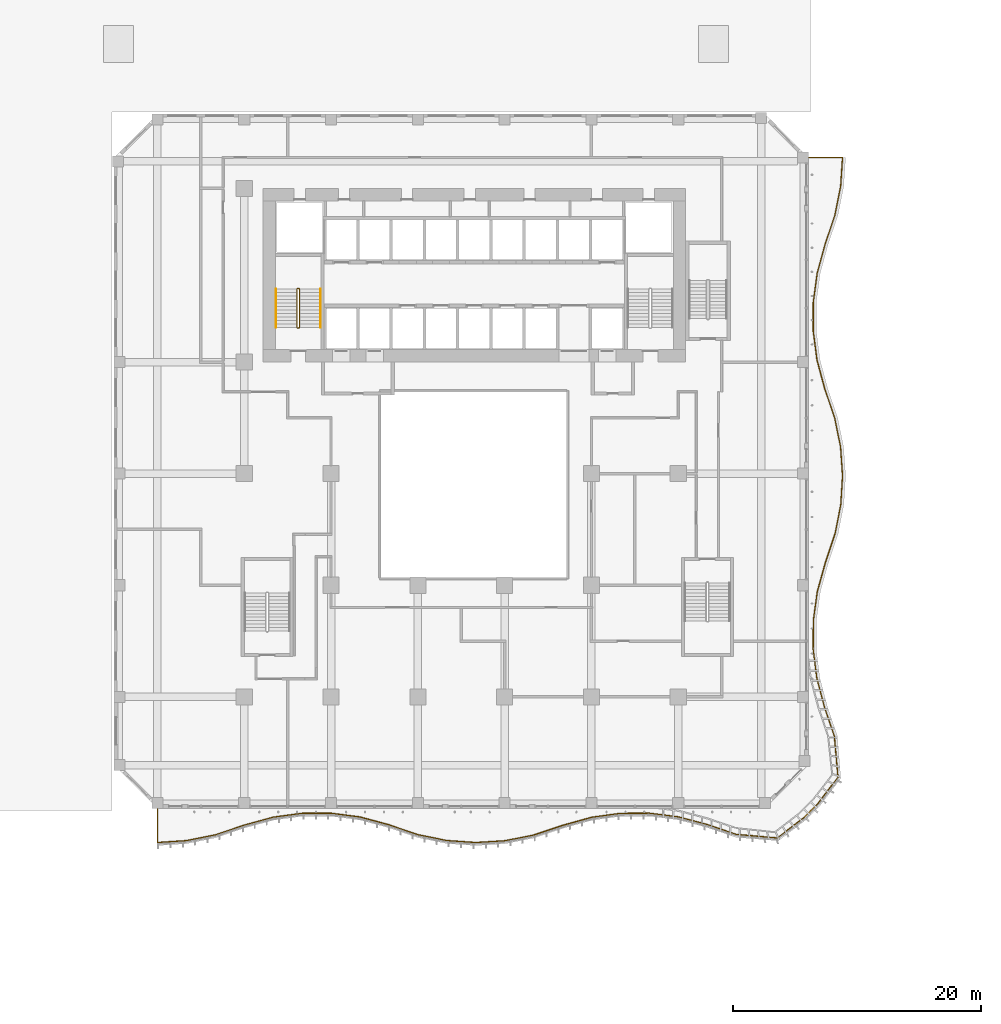
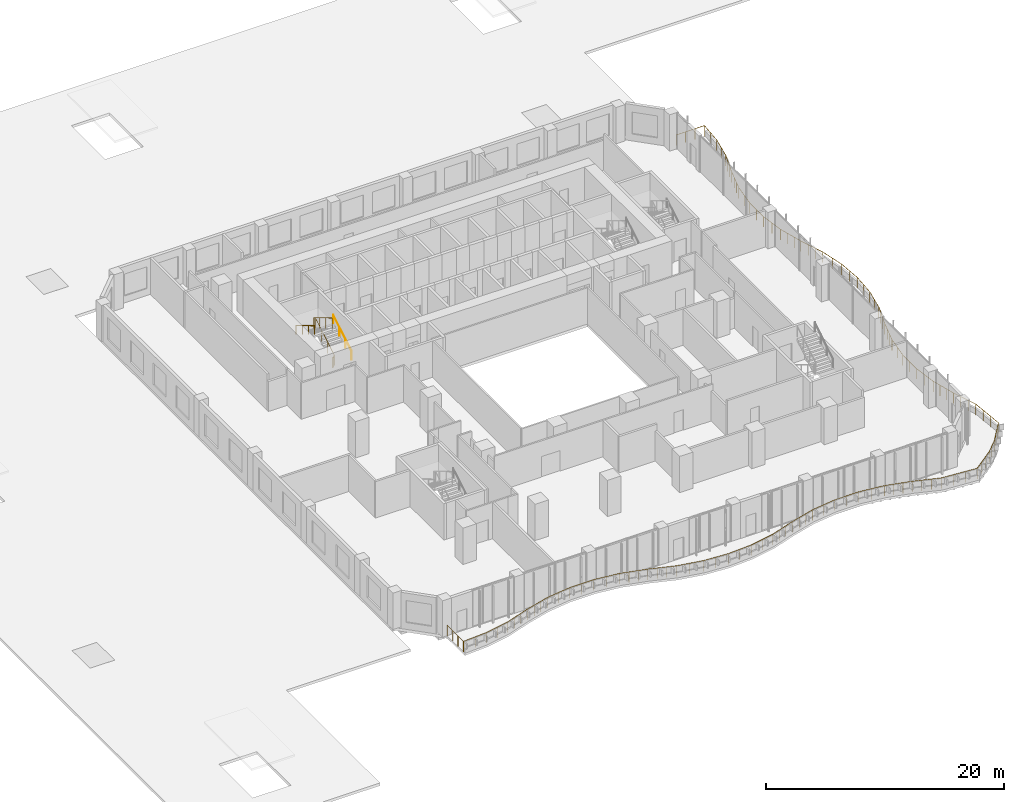
# One storey, part 26 of 29: 4 railings.
"""IFC4 building model written with IfcOpenShell, lengths in metres."""

from ifc_helpers import new_model, si_unit, direction, frame, origin, origin_2d, place, context, subcontext, project, spatial, circle, extrude, material, type_object, element, save


model = new_model("IFC4")

# Units and contexts
model_context = context("Model", 3, precision=1e-05, world=origin(), true_north=direction((0.0, 1.0)))
body_context = subcontext(model_context, "Body", "Model", "MODEL_VIEW")
ifc_project = project(units=[si_unit("LENGTHUNIT", "METRE"), si_unit("AREAUNIT", "SQUARE_METRE"), si_unit("VOLUMEUNIT", "CUBIC_METRE"), si_unit("PLANEANGLEUNIT", "RADIAN"), si_unit("MASSUNIT", "GRAM", prefix="KILO")], contexts=[model_context])

# Site, building, storey
site_placement = place(None, origin())
site = spatial("IfcSite", under=ifc_project, at=site_placement, CompositionType="ELEMENT")
building_placement = place(site_placement, origin())
building = spatial("IfcBuilding", under=site, at=building_placement, Name="Kilnfold Tower and Market Hall", CompositionType="ELEMENT")
storey_placement = place(building_placement, frame((0.0, 0.0, 27.0)))
storey = spatial("IfcBuildingStorey", under=building, at=storey_placement, Name="L05", CompositionType="ELEMENT", Elevation=27.0)

# Railings
ifc_material_1 = material(Name="Stainless steel 316", Category="steel")
railing_type_1 = type_object("IfcRailingType", Name="CORE STAIR GUARD 1100", PredefinedType="GUARDRAIL", material=ifc_material_1)
railing_1_placement = place(storey_placement, frame((-13.199951171875, 10.75, 0.0)))
element("IfcRailing", 1, at=railing_1_placement, inside=storey, type_object=railing_type_1, Name="L05 ST1 stair guard 1", PredefinedType="GUARDRAIL", context=body_context, shape_type="SweptSolid", body=[
    extrude(circle(Radius=0.02392578125, at=origin_2d()), frame((0.0, 0.0, 1.076171875), z_axis=(1.0, 0.0, 0.0), x_axis=(0.0, 1.0, 0.0)), (0.0, 0.0, 1.0), 0.099853515625),
    extrude(circle(Radius=0.02392578125, at=origin_2d()), frame((0.099853515625, 0.0, 1.076171875), z_axis=(0.27628659633, 0.27628659633, 0.920506074601), x_axis=(-0.707106781187, 0.707106781187, 0.0)), (0.0, 0.0, 1.0), 0.18115234375),
    extrude(circle(Radius=0.02392578125, at=origin_2d()), frame((0.14990234375, 0.050048828125, 1.24267578125), z_axis=(0.0, 0.859290745958, 0.51148745235), x_axis=(-1.0, 0.0, 0.0)), (0.0, 0.0, 1.0), 3.584228515625),
    extrude(circle(Radius=0.02392578125, at=origin_2d()), frame((0.14990234375, 3.1298828125, 3.076171875), z_axis=(-0.707106781187, 0.707106781187, 0.0), x_axis=(-0.707106781187, -0.707106781187, 0.0)), (0.0, 0.0, 1.0), 0.07080078125),
    extrude(circle(Radius=0.02392578125, at=origin_2d()), frame((0.099853515625, 3.179931640625, 3.076171875), z_axis=(-1.0, 0.0, 0.0), x_axis=(0.0, -1.0, 0.0)), (0.0, 0.0, 1.0), 0.099853515625),
    extrude(circle(Radius=0.02392578125, at=origin_2d()), frame((0.0, 3.179931640625, 3.076171875), z_axis=(-0.27628659633, -0.27628659633, 0.920506074601), x_axis=(0.707106781187, -0.707106781187, 0.0)), (0.0, 0.0, 1.0), 0.18115234375),
    extrude(circle(Radius=0.02392578125, at=origin_2d()), frame((-0.050048828125, 3.1298828125, 3.24267578125), z_axis=(0.0, -0.859290745958, 0.51148745235), x_axis=(1.0, 0.0, 0.0)), (0.0, 0.0, 1.0), 3.584228515625),
    extrude(circle(Radius=0.02099609375, at=origin_2d()), origin(), (0.0, 0.0, 1.0), 1.052001953125),
    extrude(circle(Radius=0.02099609375, at=origin_2d()), frame((0.099853515625, 0.0, 0.0)), (0.0, 0.0, 1.0), 1.052001953125),
    extrude(circle(Radius=0.02099609375, at=origin_2d()), frame((0.14990234375, 0.050048828125, 0.166748046875)), (0.0, 0.0, 1.0), 1.052001953125),
    extrude(circle(Radius=0.02099609375, at=origin_2d()), frame((0.14990234375, 1.07666015625, 0.77783203125)), (0.0, 0.0, 1.0), 1.052001953125),
    extrude(circle(Radius=0.02099609375, at=origin_2d()), frame((0.14990234375, 2.103271484375, 1.388916015625)), (0.0, 0.0, 1.0), 1.052001953125),
    extrude(circle(Radius=0.02099609375, at=origin_2d()), frame((0.14990234375, 3.1298828125, 2.0)), (0.0, 0.0, 1.0), 1.052001953125),
    extrude(circle(Radius=0.02099609375, at=origin_2d()), frame((0.099853515625, 3.179931640625, 2.0)), (0.0, 0.0, 1.0), 1.052001953125),
    extrude(circle(Radius=0.02099609375, at=origin_2d()), frame((0.0, 3.179931640625, 2.0)), (0.0, 0.0, 1.0), 1.052001953125),
    extrude(circle(Radius=0.02099609375, at=origin_2d()), frame((-0.050048828125, 3.1298828125, 2.166748046875)), (0.0, 0.0, 1.0), 1.052001953125),
    extrude(circle(Radius=0.02099609375, at=origin_2d()), frame((-0.050048828125, 2.103271484375, 2.77783203125)), (0.0, 0.0, 1.0), 1.052001953125),
    extrude(circle(Radius=0.02099609375, at=origin_2d()), frame((-0.050048828125, 1.07666015625, 3.388916015625)), (0.0, 0.0, 1.0), 1.052001953125),
    extrude(circle(Radius=0.02099609375, at=origin_2d()), frame((-0.050048828125, 0.050048828125, 4.0)), (0.0, 0.0, 1.0), 1.052001953125),
])
ifc_material_2 = material(Name="Stainless steel 316", Category="steel")
railing_type_2 = type_object("IfcRailingType", Name="CORE STAIR HANDRAIL 900", PredefinedType="HANDRAIL", material=ifc_material_2)
railing_2_placement = place(storey_placement, frame((-11.35009765625, 10.800048828125, 0.166748046875)))
element("IfcRailing", 2, at=railing_2_placement, inside=storey, type_object=railing_type_2, Name="L05 ST1 stair handrail 1", PredefinedType="HANDRAIL", context=body_context, shape_type="SweptSolid", body=[
    extrude(circle(Radius=0.02392578125, at=origin_2d()), frame((0.0, 0.0, 0.8759765625), z_axis=(0.0, 0.859290745958, 0.51148745235), x_axis=(-1.0, 0.0, 0.0)), (0.0, 0.0, 1.0), 3.584228515625),
    extrude(circle(Radius=0.02099609375, at=origin_2d()), origin(), (0.0, 0.0, 1.0), 0.851806640625),
    extrude(circle(Radius=0.02099609375, at=origin_2d()), frame((0.0, 1.026611328125, 0.611083984375)), (0.0, 0.0, 1.0), 0.851806640625),
    extrude(circle(Radius=0.02099609375, at=origin_2d()), frame((0.0, 2.05322265625, 1.22216796875)), (0.0, 0.0, 1.0), 0.851806640625),
    extrude(circle(Radius=0.02099609375, at=origin_2d()), frame((0.0, 3.079833984375, 1.833251953125)), (0.0, 0.0, 1.0), 0.851806640625),
])
railing_3_placement = place(storey_placement, frame((-14.949951171875, 13.8798828125, 2.166748046875)))
element("IfcRailing", 3, at=railing_3_placement, inside=storey, type_object=railing_type_2, Name="L05 ST1 stair handrail 2", PredefinedType="HANDRAIL", context=body_context, shape_type="SweptSolid", body=[
    extrude(circle(Radius=0.02392578125, at=origin_2d()), frame((0.0, 0.0, 0.8759765625), z_axis=(0.0, -0.859290745958, 0.51148745235), x_axis=(1.0, 0.0, 0.0)), (0.0, 0.0, 1.0), 3.584228515625),
    extrude(circle(Radius=0.02099609375, at=origin_2d()), origin(), (0.0, 0.0, 1.0), 0.851806640625),
    extrude(circle(Radius=0.02099609375, at=origin_2d()), frame((0.0, -1.026611328125, 0.611083984375)), (0.0, 0.0, 1.0), 0.851806640625),
    extrude(circle(Radius=0.02099609375, at=origin_2d()), frame((0.0, -2.05322265625, 1.22216796875)), (0.0, 0.0, 1.0), 0.851806640625),
    extrude(circle(Radius=0.02099609375, at=origin_2d()), frame((0.0, -3.079833984375, 1.833251953125)), (0.0, 0.0, 1.0), 0.851806640625),
])
ifc_material_3 = material(Name="Stainless steel and laminated glass", Category="steel")
railing_type_3 = type_object("IfcRailingType", Name="GUARD 1100", PredefinedType="GUARDRAIL", material=ifc_material_3)
railing_4_placement = place(storey_placement, frame((-24.5, -28.0, 0.0)))
element("IfcRailing", 4, at=railing_4_placement, inside=storey, type_object=railing_type_3, Name="Guard balcony L05", PredefinedType="GUARDRAIL", context=body_context, shape_type="SweptSolid", body=[
    extrude(circle(Radius=0.02490234375, at=origin_2d()), frame((0.0, 0.0, 1.0751953125), z_axis=(0.0, -1.0, 0.0), x_axis=(1.0, 0.0, 0.0)), (0.0, 0.0, 1.0), 2.75),
    extrude(circle(Radius=0.02490234375, at=origin_2d()), frame((0.0, -2.75, 1.0751953125), z_axis=(0.997847999073, 0.065569587048, 0.0), x_axis=(-0.065569587048, 0.997847999073, 0.0)), (0.0, 0.0, 1.0), 2.33837890625),
    extrude(circle(Radius=0.02490234375, at=origin_2d()), frame((2.333251953125, -2.5966796875, 1.0751953125), z_axis=(0.980513543113, 0.196451499797, 0.0), x_axis=(-0.196451499797, 0.980513543113, 0.0)), (0.0, 0.0, 1.0), 2.3798828125),
    extrude(circle(Radius=0.02490234375, at=origin_2d()), frame((4.666748046875, -2.129150390625, 1.0751953125), z_axis=(0.947566979947, 0.319557222598, 0.0), x_axis=(-0.319557222598, 0.947566979947, 0.0)), (0.0, 0.0, 1.0), 2.46240234375),
    extrude(circle(Radius=0.02490234375, at=origin_2d()), frame((7.0, -1.34228515625, 1.0751953125), z_axis=(0.964518860934, 0.264013952098, 0.0), x_axis=(-0.264013952098, 0.964518860934, 0.0)), (0.0, 0.0, 1.0), 2.419189453125),
    extrude(circle(Radius=0.02490234375, at=origin_2d()), frame((9.333251953125, -0.70361328125, 1.0751953125), z_axis=(0.991110687467, 0.133039863153, 0.0), x_axis=(-0.133039863153, 0.991110687467, 0.0)), (0.0, 0.0, 1.0), 2.3544921875),
    extrude(circle(Radius=0.02490234375, at=origin_2d()), frame((11.666748046875, -0.390380859375, 1.0751953125), z_axis=(0.999998226339, 0.001883432884, 0.0), x_axis=(-0.001883432884, 0.999998226339, 0.0)), (0.0, 0.0, 1.0), 2.333251953125),
    extrude(circle(Radius=0.02490234375, at=origin_2d()), frame((14.0, -0.385986328125, 1.0751953125), z_axis=(0.991647789279, -0.128975431838, 0.0), x_axis=(0.128975431838, 0.991647789279, 0.0)), (0.0, 0.0, 1.0), 2.352783203125),
    extrude(circle(Radius=0.02490234375, at=origin_2d()), frame((16.333251953125, -0.689453125, 1.0751953125), z_axis=(0.965598198848, -0.260038686319, 0.0), x_axis=(0.260038686319, 0.965598198848, 0.0)), (0.0, 0.0, 1.0), 2.416748046875),
    extrude(circle(Radius=0.02490234375, at=origin_2d()), frame((18.666748046875, -1.31787109375, 1.0751953125), z_axis=(0.94693508606, -0.321424863365, 0.0), x_axis=(0.321424863365, 0.94693508606, 0.0)), (0.0, 0.0, 1.0), 2.464111328125),
    extrude(circle(Radius=0.02490234375, at=origin_2d()), frame((21.0, -2.10986328125, 1.0751953125), z_axis=(0.979691597801, -0.200510282024, 0.0), x_axis=(0.200510282024, 0.979691597801, 0.0)), (0.0, 0.0, 1.0), 2.381591796875),
    extrude(circle(Radius=0.02490234375, at=origin_2d()), frame((23.333251953125, -2.58740234375, 1.0751953125), z_axis=(0.99758116384, -0.069511305202, 0.0), x_axis=(0.069511305202, 0.99758116384, 0.0)), (0.0, 0.0, 1.0), 2.339111328125),
    extrude(circle(Radius=0.02490234375, at=origin_2d()), frame((25.666748046875, -2.75, 1.0751953125), z_axis=(0.998099833602, 0.061617547538, 0.0), x_axis=(-0.061617547538, 0.998099833602, 0.0)), (0.0, 0.0, 1.0), 2.337646484375),
    extrude(circle(Radius=0.02490234375, at=origin_2d()), frame((28.0, -2.60595703125, 1.0751953125), z_axis=(0.981292835756, 0.192521091037, 0.0), x_axis=(-0.192521091037, 0.981292835756, 0.0)), (0.0, 0.0, 1.0), 2.377685546875),
    extrude(circle(Radius=0.02490234375, at=origin_2d()), frame((30.333251953125, -2.148193359375, 1.0751953125), z_axis=(0.9482956499, 0.317388343171, 0.0), x_axis=(-0.317388343171, 0.9482956499, 0.0)), (0.0, 0.0, 1.0), 2.460693359375),
    extrude(circle(Radius=0.02490234375, at=origin_2d()), frame((32.666748046875, -1.3671875, 1.0751953125), z_axis=(0.963406621709, 0.268044177789, 0.0), x_axis=(-0.268044177789, 0.963406621709, 0.0)), (0.0, 0.0, 1.0), 2.421875),
    extrude(circle(Radius=0.02490234375, at=origin_2d()), frame((35.0, -0.718017578125, 1.0751953125), z_axis=(0.990581902319, 0.136921491364, 0.0), x_axis=(-0.136921491364, 0.990581902319, 0.0)), (0.0, 0.0, 1.0), 2.35546875),
    extrude(circle(Radius=0.02490234375, at=origin_2d()), frame((37.333251953125, -0.3955078125, 1.0751953125), z_axis=(0.999982218267, 0.005963484666, 0.0), x_axis=(-0.005963484666, 0.999982218267, 0.0)), (0.0, 0.0, 1.0), 2.33349609375),
    extrude(circle(Radius=0.02490234375, at=origin_2d()), frame((39.666748046875, -0.381591796875, 1.0751953125), z_axis=(0.992157627723, -0.124992966807, 0.0), x_axis=(0.124992966807, 0.992157627723, 0.0)), (0.0, 0.0, 1.0), 2.351806640625),
    extrude(circle(Radius=0.02490234375, at=origin_2d()), frame((42.0, -0.675537109375, 1.0751953125), z_axis=(0.966650012662, -0.256101060172, 0.0), x_axis=(0.256101060172, 0.966650012662, 0.0)), (0.0, 0.0, 1.0), 2.413818359375),
    extrude(circle(Radius=0.02490234375, at=origin_2d()), frame((44.333251953125, -1.293701171875, 1.0751953125), z_axis=(0.946401541537, -0.3229924491, 0.0), x_axis=(0.3229924491, 0.946401541537, 0.0)), (0.0, 0.0, 1.0), 2.465576171875),
    extrude(circle(Radius=0.02490234375, at=origin_2d()), frame((46.666748046875, -2.090087890625, 1.0751953125), z_axis=(0.996172933534, -0.087404156042, 0.0), x_axis=(0.087404156042, 0.996172933534, 0.0)), (0.0, 0.0, 1.0), 3.332275390625),
    extrude(circle(Radius=0.02490234375, at=origin_2d()), frame((49.986328125, -2.38134765625, 1.0751953125), z_axis=(0.793922461341, 0.608019017283, 0.0), x_axis=(-0.608019017283, 0.793922461341, 0.0)), (0.0, 0.0, 1.0), 2.659423828125),
    extrude(circle(Radius=0.02490234375, at=origin_2d()), frame((52.09765625, -0.764404296875, 1.0751953125), z_axis=(0.707106781187, 0.707106781187, 0.0), x_axis=(-0.707106781187, 0.707106781187, 0.0)), (0.0, 0.0, 1.0), 1.650146484375),
    extrude(circle(Radius=0.02490234375, at=origin_2d()), frame((53.264404296875, 0.40234375, 1.0751953125), z_axis=(0.608019017283, 0.793922461341, 0.0), x_axis=(-0.793922461341, 0.608019017283, 0.0)), (0.0, 0.0, 1.0), 2.659423828125),
    extrude(circle(Radius=0.02490234375, at=origin_2d()), frame((54.88134765625, 2.513671875, 1.0751953125), z_axis=(-0.087404156042, 0.996172933534, 0.0), x_axis=(-0.996172933534, -0.087404156042, 0.0)), (0.0, 0.0, 1.0), 3.332275390625),
    extrude(circle(Radius=0.02490234375, at=origin_2d()), frame((54.590087890625, 5.833251953125, 1.0751953125), z_axis=(-0.3229924491, 0.946401541537, 0.0), x_axis=(-0.946401541537, -0.3229924491, 0.0)), (0.0, 0.0, 1.0), 2.465576171875),
    extrude(circle(Radius=0.02490234375, at=origin_2d()), frame((53.793701171875, 8.166748046875, 1.0751953125), z_axis=(-0.256101060172, 0.966650012662, 0.0), x_axis=(-0.966650012662, -0.256101060172, 0.0)), (0.0, 0.0, 1.0), 2.413818359375),
    extrude(circle(Radius=0.02490234375, at=origin_2d()), frame((53.175537109375, 10.5, 1.0751953125), z_axis=(-0.124992966807, 0.992157627723, 0.0), x_axis=(-0.992157627723, -0.124992966807, 0.0)), (0.0, 0.0, 1.0), 2.351806640625),
    extrude(circle(Radius=0.02490234375, at=origin_2d()), frame((52.881591796875, 12.833251953125, 1.0751953125), z_axis=(0.005963484666, 0.999982218267, 0.0), x_axis=(-0.999982218267, 0.005963484666, 0.0)), (0.0, 0.0, 1.0), 2.33349609375),
    extrude(circle(Radius=0.02490234375, at=origin_2d()), frame((52.8955078125, 15.166748046875, 1.0751953125), z_axis=(0.136921491364, 0.990581902319, 0.0), x_axis=(-0.990581902319, 0.136921491364, 0.0)), (0.0, 0.0, 1.0), 2.35546875),
    extrude(circle(Radius=0.02490234375, at=origin_2d()), frame((53.218017578125, 17.5, 1.0751953125), z_axis=(0.268044177789, 0.963406621709, 0.0), x_axis=(-0.963406621709, 0.268044177789, 0.0)), (0.0, 0.0, 1.0), 2.421875),
    extrude(circle(Radius=0.02490234375, at=origin_2d()), frame((53.8671875, 19.833251953125, 1.0751953125), z_axis=(0.317388343171, 0.9482956499, 0.0), x_axis=(-0.9482956499, 0.317388343171, 0.0)), (0.0, 0.0, 1.0), 2.460693359375),
    extrude(circle(Radius=0.02490234375, at=origin_2d()), frame((54.648193359375, 22.166748046875, 1.0751953125), z_axis=(0.192521091037, 0.981292835756, 0.0), x_axis=(-0.981292835756, 0.192521091037, 0.0)), (0.0, 0.0, 1.0), 2.377685546875),
    extrude(circle(Radius=0.02490234375, at=origin_2d()), frame((55.10595703125, 24.5, 1.0751953125), z_axis=(0.061617547538, 0.998099833602, 0.0), x_axis=(-0.998099833602, 0.061617547538, 0.0)), (0.0, 0.0, 1.0), 2.337646484375),
    extrude(circle(Radius=0.02490234375, at=origin_2d()), frame((55.25, 26.833251953125, 1.0751953125), z_axis=(-0.069511305202, 0.99758116384, 0.0), x_axis=(-0.99758116384, -0.069511305202, 0.0)), (0.0, 0.0, 1.0), 2.339111328125),
    extrude(circle(Radius=0.02490234375, at=origin_2d()), frame((55.08740234375, 29.166748046875, 1.0751953125), z_axis=(-0.200510282024, 0.979691597801, 0.0), x_axis=(-0.979691597801, -0.200510282024, 0.0)), (0.0, 0.0, 1.0), 2.381591796875),
    extrude(circle(Radius=0.02490234375, at=origin_2d()), frame((54.60986328125, 31.5, 1.0751953125), z_axis=(-0.321424863365, 0.94693508606, 0.0), x_axis=(-0.94693508606, -0.321424863365, 0.0)), (0.0, 0.0, 1.0), 2.464111328125),
    extrude(circle(Radius=0.02490234375, at=origin_2d()), frame((53.81787109375, 33.833251953125, 1.0751953125), z_axis=(-0.260038686319, 0.965598198848, 0.0), x_axis=(-0.965598198848, -0.260038686319, 0.0)), (0.0, 0.0, 1.0), 2.416748046875),
    extrude(circle(Radius=0.02490234375, at=origin_2d()), frame((53.189453125, 36.166748046875, 1.0751953125), z_axis=(-0.128975431838, 0.991647789279, 0.0), x_axis=(-0.991647789279, -0.128975431838, 0.0)), (0.0, 0.0, 1.0), 2.352783203125),
    extrude(circle(Radius=0.02490234375, at=origin_2d()), frame((52.885986328125, 38.5, 1.0751953125), z_axis=(0.001883432884, 0.999998226339, 0.0), x_axis=(-0.999998226339, 0.001883432884, 0.0)), (0.0, 0.0, 1.0), 2.333251953125),
    extrude(circle(Radius=0.02490234375, at=origin_2d()), frame((52.890380859375, 40.833251953125, 1.0751953125), z_axis=(0.133039863153, 0.991110687467, 0.0), x_axis=(-0.991110687467, 0.133039863153, 0.0)), (0.0, 0.0, 1.0), 2.3544921875),
    extrude(circle(Radius=0.02490234375, at=origin_2d()), frame((53.20361328125, 43.166748046875, 1.0751953125), z_axis=(0.264013952098, 0.964518860934, 0.0), x_axis=(-0.964518860934, 0.264013952098, 0.0)), (0.0, 0.0, 1.0), 2.419189453125),
    extrude(circle(Radius=0.02490234375, at=origin_2d()), frame((53.84228515625, 45.5, 1.0751953125), z_axis=(0.319557222598, 0.947566979947, 0.0), x_axis=(-0.947566979947, 0.319557222598, 0.0)), (0.0, 0.0, 1.0), 2.46240234375),
    extrude(circle(Radius=0.02490234375, at=origin_2d()), frame((54.629150390625, 47.833251953125, 1.0751953125), z_axis=(0.196451499797, 0.980513543113, 0.0), x_axis=(-0.980513543113, 0.196451499797, 0.0)), (0.0, 0.0, 1.0), 2.3798828125),
    extrude(circle(Radius=0.02490234375, at=origin_2d()), frame((55.0966796875, 50.166748046875, 1.0751953125), z_axis=(0.065569587048, 0.997847999073, 0.0), x_axis=(-0.997847999073, 0.065569587048, 0.0)), (0.0, 0.0, 1.0), 2.33837890625),
    extrude(circle(Radius=0.02490234375, at=origin_2d()), frame((55.25, 52.5, 1.0751953125), z_axis=(-1.0, 0.0, 0.0), x_axis=(0.0, -1.0, 0.0)), (0.0, 0.0, 1.0), 2.75),
    extrude(circle(Radius=0.02490234375, at=origin_2d()), origin(), (0.0, 0.0, 1.0), 1.050048828125),
    extrude(circle(Radius=0.02490234375, at=origin_2d()), frame((0.0, -0.916748046875, 0.0)), (0.0, 0.0, 1.0), 1.050048828125),
    extrude(circle(Radius=0.02490234375, at=origin_2d()), frame((0.0, -1.833251953125, 0.0)), (0.0, 0.0, 1.0), 1.050048828125),
    extrude(circle(Radius=0.02490234375, at=origin_2d()), frame((0.0, -2.75, 0.0)), (0.0, 0.0, 1.0), 1.050048828125),
    extrude(circle(Radius=0.02490234375, at=origin_2d()), frame((1.16650390625, -2.67333984375, 0.0)), (0.0, 0.0, 1.0), 1.050048828125),
    extrude(circle(Radius=0.02490234375, at=origin_2d()), frame((2.333251953125, -2.5966796875, 0.0)), (0.0, 0.0, 1.0), 1.050048828125),
    extrude(circle(Radius=0.02490234375, at=origin_2d()), frame((3.5, -2.36279296875, 0.0)), (0.0, 0.0, 1.0), 1.050048828125),
    extrude(circle(Radius=0.02490234375, at=origin_2d()), frame((4.666748046875, -2.129150390625, 0.0)), (0.0, 0.0, 1.0), 1.050048828125),
    extrude(circle(Radius=0.02490234375, at=origin_2d()), frame((5.444580078125, -1.866943359375, 0.0)), (0.0, 0.0, 1.0), 1.050048828125),
    extrude(circle(Radius=0.02490234375, at=origin_2d()), frame((6.22216796875, -1.6044921875, 0.0)), (0.0, 0.0, 1.0), 1.050048828125),
    extrude(circle(Radius=0.02490234375, at=origin_2d()), frame((7.0, -1.34228515625, 0.0)), (0.0, 0.0, 1.0), 1.050048828125),
    extrude(circle(Radius=0.02490234375, at=origin_2d()), frame((7.77783203125, -1.12939453125, 0.0)), (0.0, 0.0, 1.0), 1.050048828125),
    extrude(circle(Radius=0.02490234375, at=origin_2d()), frame((8.555419921875, -0.91650390625, 0.0)), (0.0, 0.0, 1.0), 1.050048828125),
    extrude(circle(Radius=0.02490234375, at=origin_2d()), frame((9.333251953125, -0.70361328125, 0.0)), (0.0, 0.0, 1.0), 1.050048828125),
    extrude(circle(Radius=0.02490234375, at=origin_2d()), frame((10.5, -0.546875, 0.0)), (0.0, 0.0, 1.0), 1.050048828125),
    extrude(circle(Radius=0.02490234375, at=origin_2d()), frame((11.666748046875, -0.390380859375, 0.0)), (0.0, 0.0, 1.0), 1.050048828125),
    extrude(circle(Radius=0.02490234375, at=origin_2d()), frame((12.83349609375, -0.38818359375, 0.0)), (0.0, 0.0, 1.0), 1.050048828125),
    extrude(circle(Radius=0.02490234375, at=origin_2d()), frame((14.0, -0.385986328125, 0.0)), (0.0, 0.0, 1.0), 1.050048828125),
    extrude(circle(Radius=0.02490234375, at=origin_2d()), frame((15.16650390625, -0.53759765625, 0.0)), (0.0, 0.0, 1.0), 1.050048828125),
    extrude(circle(Radius=0.02490234375, at=origin_2d()), frame((16.333251953125, -0.689453125, 0.0)), (0.0, 0.0, 1.0), 1.050048828125),
    extrude(circle(Radius=0.02490234375, at=origin_2d()), frame((17.111083984375, -0.89892578125, 0.0)), (0.0, 0.0, 1.0), 1.050048828125),
    extrude(circle(Radius=0.02490234375, at=origin_2d()), frame((17.888916015625, -1.1083984375, 0.0)), (0.0, 0.0, 1.0), 1.050048828125),
    extrude(circle(Radius=0.02490234375, at=origin_2d()), frame((18.666748046875, -1.31787109375, 0.0)), (0.0, 0.0, 1.0), 1.050048828125),
    extrude(circle(Radius=0.02490234375, at=origin_2d()), frame((19.444580078125, -1.581787109375, 0.0)), (0.0, 0.0, 1.0), 1.050048828125),
    extrude(circle(Radius=0.02490234375, at=origin_2d()), frame((20.22216796875, -1.845947265625, 0.0)), (0.0, 0.0, 1.0), 1.050048828125),
    extrude(circle(Radius=0.02490234375, at=origin_2d()), frame((21.0, -2.10986328125, 0.0)), (0.0, 0.0, 1.0), 1.050048828125),
    extrude(circle(Radius=0.02490234375, at=origin_2d()), frame((22.16650390625, -2.3486328125, 0.0)), (0.0, 0.0, 1.0), 1.050048828125),
    extrude(circle(Radius=0.02490234375, at=origin_2d()), frame((23.333251953125, -2.58740234375, 0.0)), (0.0, 0.0, 1.0), 1.050048828125),
    extrude(circle(Radius=0.02490234375, at=origin_2d()), frame((24.5, -2.668701171875, 0.0)), (0.0, 0.0, 1.0), 1.050048828125),
    extrude(circle(Radius=0.02490234375, at=origin_2d()), frame((25.666748046875, -2.75, 0.0)), (0.0, 0.0, 1.0), 1.050048828125),
    extrude(circle(Radius=0.02490234375, at=origin_2d()), frame((26.83349609375, -2.677978515625, 0.0)), (0.0, 0.0, 1.0), 1.050048828125),
    extrude(circle(Radius=0.02490234375, at=origin_2d()), frame((28.0, -2.60595703125, 0.0)), (0.0, 0.0, 1.0), 1.050048828125),
    extrude(circle(Radius=0.02490234375, at=origin_2d()), frame((29.16650390625, -2.376953125, 0.0)), (0.0, 0.0, 1.0), 1.050048828125),
    extrude(circle(Radius=0.02490234375, at=origin_2d()), frame((30.333251953125, -2.148193359375, 0.0)), (0.0, 0.0, 1.0), 1.050048828125),
    extrude(circle(Radius=0.02490234375, at=origin_2d()), frame((31.111083984375, -1.887939453125, 0.0)), (0.0, 0.0, 1.0), 1.050048828125),
    extrude(circle(Radius=0.02490234375, at=origin_2d()), frame((31.888916015625, -1.62744140625, 0.0)), (0.0, 0.0, 1.0), 1.050048828125),
    extrude(circle(Radius=0.02490234375, at=origin_2d()), frame((32.666748046875, -1.3671875, 0.0)), (0.0, 0.0, 1.0), 1.050048828125),
    extrude(circle(Radius=0.02490234375, at=origin_2d()), frame((33.444580078125, -1.15087890625, 0.0)), (0.0, 0.0, 1.0), 1.050048828125),
    extrude(circle(Radius=0.02490234375, at=origin_2d()), frame((34.22216796875, -0.934326171875, 0.0)), (0.0, 0.0, 1.0), 1.050048828125),
    extrude(circle(Radius=0.02490234375, at=origin_2d()), frame((35.0, -0.718017578125, 0.0)), (0.0, 0.0, 1.0), 1.050048828125),
    extrude(circle(Radius=0.02490234375, at=origin_2d()), frame((36.16650390625, -0.556640625, 0.0)), (0.0, 0.0, 1.0), 1.050048828125),
    extrude(circle(Radius=0.02490234375, at=origin_2d()), frame((37.333251953125, -0.3955078125, 0.0)), (0.0, 0.0, 1.0), 1.050048828125),
    extrude(circle(Radius=0.02490234375, at=origin_2d()), frame((38.5, -0.388671875, 0.0)), (0.0, 0.0, 1.0), 1.050048828125),
    extrude(circle(Radius=0.02490234375, at=origin_2d()), frame((39.666748046875, -0.381591796875, 0.0)), (0.0, 0.0, 1.0), 1.050048828125),
    extrude(circle(Radius=0.02490234375, at=origin_2d()), frame((40.83349609375, -0.528564453125, 0.0)), (0.0, 0.0, 1.0), 1.050048828125),
    extrude(circle(Radius=0.02490234375, at=origin_2d()), frame((42.0, -0.675537109375, 0.0)), (0.0, 0.0, 1.0), 1.050048828125),
    extrude(circle(Radius=0.02490234375, at=origin_2d()), frame((42.77783203125, -0.881591796875, 0.0)), (0.0, 0.0, 1.0), 1.050048828125),
    extrude(circle(Radius=0.02490234375, at=origin_2d()), frame((43.555419921875, -1.087646484375, 0.0)), (0.0, 0.0, 1.0), 1.050048828125),
    extrude(circle(Radius=0.02490234375, at=origin_2d()), frame((44.333251953125, -1.293701171875, 0.0)), (0.0, 0.0, 1.0), 1.050048828125),
    extrude(circle(Radius=0.02490234375, at=origin_2d()), frame((45.111083984375, -1.55908203125, 0.0)), (0.0, 0.0, 1.0), 1.050048828125),
    extrude(circle(Radius=0.02490234375, at=origin_2d()), frame((45.888916015625, -1.82470703125, 0.0)), (0.0, 0.0, 1.0), 1.050048828125),
    extrude(circle(Radius=0.02490234375, at=origin_2d()), frame((46.666748046875, -2.090087890625, 0.0)), (0.0, 0.0, 1.0), 1.050048828125),
    extrude(circle(Radius=0.02490234375, at=origin_2d()), frame((47.773193359375, -2.187255859375, 0.0)), (0.0, 0.0, 1.0), 1.050048828125),
    extrude(circle(Radius=0.02490234375, at=origin_2d()), frame((48.8798828125, -2.2841796875, 0.0)), (0.0, 0.0, 1.0), 1.050048828125),
    extrude(circle(Radius=0.02490234375, at=origin_2d()), frame((49.986328125, -2.38134765625, 0.0)), (0.0, 0.0, 1.0), 1.050048828125),
    extrude(circle(Radius=0.02490234375, at=origin_2d()), frame((50.690185546875, -1.84228515625, 0.0)), (0.0, 0.0, 1.0), 1.050048828125),
    extrude(circle(Radius=0.02490234375, at=origin_2d()), frame((51.393798828125, -1.303466796875, 0.0)), (0.0, 0.0, 1.0), 1.050048828125),
    extrude(circle(Radius=0.02490234375, at=origin_2d()), frame((52.09765625, -0.764404296875, 0.0)), (0.0, 0.0, 1.0), 1.050048828125),
    extrude(circle(Radius=0.02490234375, at=origin_2d()), frame((52.68115234375, -0.18115234375, 0.0)), (0.0, 0.0, 1.0), 1.050048828125),
    extrude(circle(Radius=0.02490234375, at=origin_2d()), frame((53.264404296875, 0.40234375, 0.0)), (0.0, 0.0, 1.0), 1.050048828125),
    extrude(circle(Radius=0.02490234375, at=origin_2d()), frame((53.803466796875, 1.106201171875, 0.0)), (0.0, 0.0, 1.0), 1.050048828125),
    extrude(circle(Radius=0.02490234375, at=origin_2d()), frame((54.34228515625, 1.809814453125, 0.0)), (0.0, 0.0, 1.0), 1.050048828125),
    extrude(circle(Radius=0.02490234375, at=origin_2d()), frame((54.88134765625, 2.513671875, 0.0)), (0.0, 0.0, 1.0), 1.050048828125),
    extrude(circle(Radius=0.02490234375, at=origin_2d()), frame((54.7841796875, 3.6201171875, 0.0)), (0.0, 0.0, 1.0), 1.050048828125),
    extrude(circle(Radius=0.02490234375, at=origin_2d()), frame((54.687255859375, 4.726806640625, 0.0)), (0.0, 0.0, 1.0), 1.050048828125),
    extrude(circle(Radius=0.02490234375, at=origin_2d()), frame((54.590087890625, 5.833251953125, 0.0)), (0.0, 0.0, 1.0), 1.050048828125),
    extrude(circle(Radius=0.02490234375, at=origin_2d()), frame((54.32470703125, 6.611083984375, 0.0)), (0.0, 0.0, 1.0), 1.050048828125),
    extrude(circle(Radius=0.02490234375, at=origin_2d()), frame((54.05908203125, 7.388916015625, 0.0)), (0.0, 0.0, 1.0), 1.050048828125),
    extrude(circle(Radius=0.02490234375, at=origin_2d()), frame((53.793701171875, 8.166748046875, 0.0)), (0.0, 0.0, 1.0), 1.050048828125),
    extrude(circle(Radius=0.02490234375, at=origin_2d()), frame((53.587646484375, 8.944580078125, 0.0)), (0.0, 0.0, 1.0), 1.050048828125),
    extrude(circle(Radius=0.02490234375, at=origin_2d()), frame((53.381591796875, 9.72216796875, 0.0)), (0.0, 0.0, 1.0), 1.050048828125),
    extrude(circle(Radius=0.02490234375, at=origin_2d()), frame((53.175537109375, 10.5, 0.0)), (0.0, 0.0, 1.0), 1.050048828125),
    extrude(circle(Radius=0.02490234375, at=origin_2d()), frame((53.028564453125, 11.66650390625, 0.0)), (0.0, 0.0, 1.0), 1.050048828125),
    extrude(circle(Radius=0.02490234375, at=origin_2d()), frame((52.881591796875, 12.833251953125, 0.0)), (0.0, 0.0, 1.0), 1.050048828125),
    extrude(circle(Radius=0.02490234375, at=origin_2d()), frame((52.888671875, 14.0, 0.0)), (0.0, 0.0, 1.0), 1.050048828125),
    extrude(circle(Radius=0.02490234375, at=origin_2d()), frame((52.8955078125, 15.166748046875, 0.0)), (0.0, 0.0, 1.0), 1.050048828125),
    extrude(circle(Radius=0.02490234375, at=origin_2d()), frame((53.056640625, 16.33349609375, 0.0)), (0.0, 0.0, 1.0), 1.050048828125),
    extrude(circle(Radius=0.02490234375, at=origin_2d()), frame((53.218017578125, 17.5, 0.0)), (0.0, 0.0, 1.0), 1.050048828125),
    extrude(circle(Radius=0.02490234375, at=origin_2d()), frame((53.434326171875, 18.27783203125, 0.0)), (0.0, 0.0, 1.0), 1.050048828125),
    extrude(circle(Radius=0.02490234375, at=origin_2d()), frame((53.65087890625, 19.055419921875, 0.0)), (0.0, 0.0, 1.0), 1.050048828125),
    extrude(circle(Radius=0.02490234375, at=origin_2d()), frame((53.8671875, 19.833251953125, 0.0)), (0.0, 0.0, 1.0), 1.050048828125),
    extrude(circle(Radius=0.02490234375, at=origin_2d()), frame((54.12744140625, 20.611083984375, 0.0)), (0.0, 0.0, 1.0), 1.050048828125),
    extrude(circle(Radius=0.02490234375, at=origin_2d()), frame((54.387939453125, 21.388916015625, 0.0)), (0.0, 0.0, 1.0), 1.050048828125),
    extrude(circle(Radius=0.02490234375, at=origin_2d()), frame((54.648193359375, 22.166748046875, 0.0)), (0.0, 0.0, 1.0), 1.050048828125),
    extrude(circle(Radius=0.02490234375, at=origin_2d()), frame((54.876953125, 23.33349609375, 0.0)), (0.0, 0.0, 1.0), 1.050048828125),
    extrude(circle(Radius=0.02490234375, at=origin_2d()), frame((55.10595703125, 24.5, 0.0)), (0.0, 0.0, 1.0), 1.050048828125),
    extrude(circle(Radius=0.02490234375, at=origin_2d()), frame((55.177978515625, 25.66650390625, 0.0)), (0.0, 0.0, 1.0), 1.050048828125),
    extrude(circle(Radius=0.02490234375, at=origin_2d()), frame((55.25, 26.833251953125, 0.0)), (0.0, 0.0, 1.0), 1.050048828125),
    extrude(circle(Radius=0.02490234375, at=origin_2d()), frame((55.168701171875, 28.0, 0.0)), (0.0, 0.0, 1.0), 1.050048828125),
    extrude(circle(Radius=0.02490234375, at=origin_2d()), frame((55.08740234375, 29.166748046875, 0.0)), (0.0, 0.0, 1.0), 1.050048828125),
    extrude(circle(Radius=0.02490234375, at=origin_2d()), frame((54.8486328125, 30.33349609375, 0.0)), (0.0, 0.0, 1.0), 1.050048828125),
    extrude(circle(Radius=0.02490234375, at=origin_2d()), frame((54.60986328125, 31.5, 0.0)), (0.0, 0.0, 1.0), 1.050048828125),
    extrude(circle(Radius=0.02490234375, at=origin_2d()), frame((54.345947265625, 32.27783203125, 0.0)), (0.0, 0.0, 1.0), 1.050048828125),
    extrude(circle(Radius=0.02490234375, at=origin_2d()), frame((54.081787109375, 33.055419921875, 0.0)), (0.0, 0.0, 1.0), 1.050048828125),
    extrude(circle(Radius=0.02490234375, at=origin_2d()), frame((53.81787109375, 33.833251953125, 0.0)), (0.0, 0.0, 1.0), 1.050048828125),
    extrude(circle(Radius=0.02490234375, at=origin_2d()), frame((53.6083984375, 34.611083984375, 0.0)), (0.0, 0.0, 1.0), 1.050048828125),
    extrude(circle(Radius=0.02490234375, at=origin_2d()), frame((53.39892578125, 35.388916015625, 0.0)), (0.0, 0.0, 1.0), 1.050048828125),
    extrude(circle(Radius=0.02490234375, at=origin_2d()), frame((53.189453125, 36.166748046875, 0.0)), (0.0, 0.0, 1.0), 1.050048828125),
    extrude(circle(Radius=0.02490234375, at=origin_2d()), frame((53.03759765625, 37.33349609375, 0.0)), (0.0, 0.0, 1.0), 1.050048828125),
    extrude(circle(Radius=0.02490234375, at=origin_2d()), frame((52.885986328125, 38.5, 0.0)), (0.0, 0.0, 1.0), 1.050048828125),
    extrude(circle(Radius=0.02490234375, at=origin_2d()), frame((52.88818359375, 39.66650390625, 0.0)), (0.0, 0.0, 1.0), 1.050048828125),
    extrude(circle(Radius=0.02490234375, at=origin_2d()), frame((52.890380859375, 40.833251953125, 0.0)), (0.0, 0.0, 1.0), 1.050048828125),
    extrude(circle(Radius=0.02490234375, at=origin_2d()), frame((53.046875, 42.0, 0.0)), (0.0, 0.0, 1.0), 1.050048828125),
    extrude(circle(Radius=0.02490234375, at=origin_2d()), frame((53.20361328125, 43.166748046875, 0.0)), (0.0, 0.0, 1.0), 1.050048828125),
    extrude(circle(Radius=0.02490234375, at=origin_2d()), frame((53.41650390625, 43.944580078125, 0.0)), (0.0, 0.0, 1.0), 1.050048828125),
    extrude(circle(Radius=0.02490234375, at=origin_2d()), frame((53.62939453125, 44.72216796875, 0.0)), (0.0, 0.0, 1.0), 1.050048828125),
    extrude(circle(Radius=0.02490234375, at=origin_2d()), frame((53.84228515625, 45.5, 0.0)), (0.0, 0.0, 1.0), 1.050048828125),
    extrude(circle(Radius=0.02490234375, at=origin_2d()), frame((54.1044921875, 46.27783203125, 0.0)), (0.0, 0.0, 1.0), 1.050048828125),
    extrude(circle(Radius=0.02490234375, at=origin_2d()), frame((54.366943359375, 47.055419921875, 0.0)), (0.0, 0.0, 1.0), 1.050048828125),
    extrude(circle(Radius=0.02490234375, at=origin_2d()), frame((54.629150390625, 47.833251953125, 0.0)), (0.0, 0.0, 1.0), 1.050048828125),
    extrude(circle(Radius=0.02490234375, at=origin_2d()), frame((54.86279296875, 49.0, 0.0)), (0.0, 0.0, 1.0), 1.050048828125),
    extrude(circle(Radius=0.02490234375, at=origin_2d()), frame((55.0966796875, 50.166748046875, 0.0)), (0.0, 0.0, 1.0), 1.050048828125),
    extrude(circle(Radius=0.02490234375, at=origin_2d()), frame((55.17333984375, 51.33349609375, 0.0)), (0.0, 0.0, 1.0), 1.050048828125),
    extrude(circle(Radius=0.02490234375, at=origin_2d()), frame((55.25, 52.5, 0.0)), (0.0, 0.0, 1.0), 1.050048828125),
    extrude(circle(Radius=0.02490234375, at=origin_2d()), frame((54.333251953125, 52.5, 0.0)), (0.0, 0.0, 1.0), 1.050048828125),
    extrude(circle(Radius=0.02490234375, at=origin_2d()), frame((53.416748046875, 52.5, 0.0)), (0.0, 0.0, 1.0), 1.050048828125),
    extrude(circle(Radius=0.02490234375, at=origin_2d()), frame((52.5, 52.5, 0.0)), (0.0, 0.0, 1.0), 1.050048828125),
])

save(model, "model.ifc")
